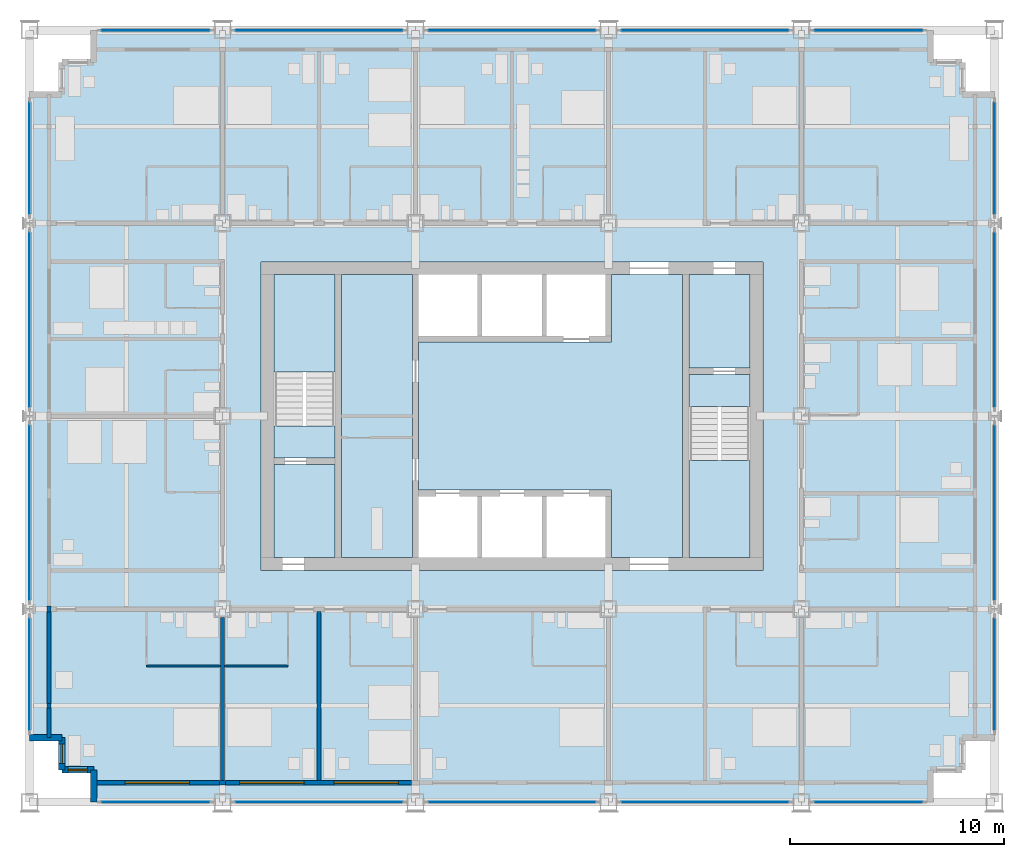
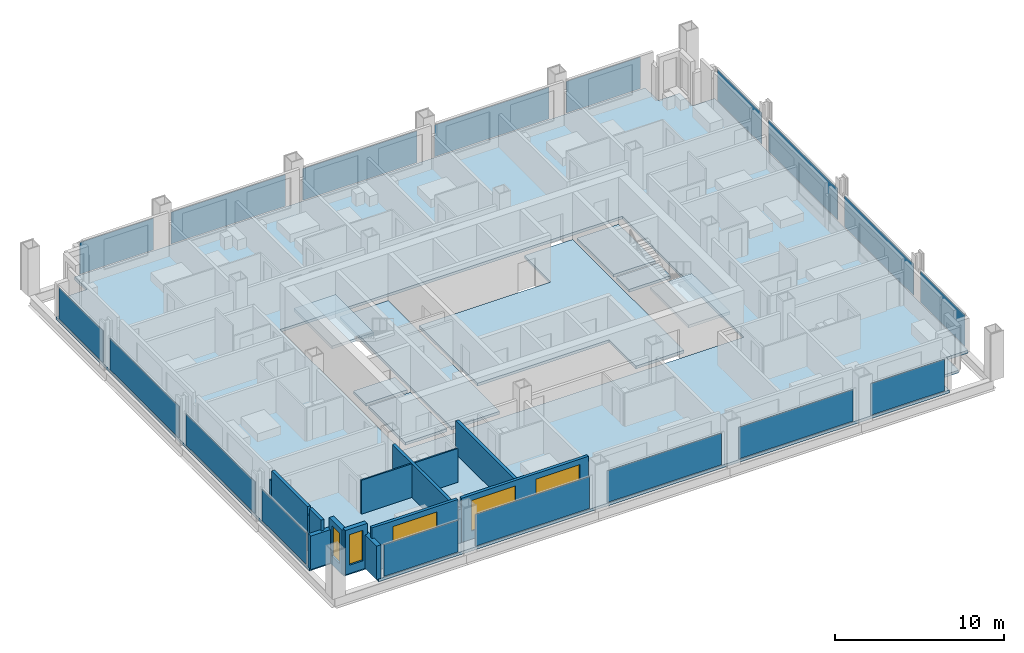
# One storey, part 8 of 17: 18 plates, 15 walls, 9 slabs, 5 windows, 5 openings, 20 elements without a shape of their own.
"""IFC4 building model written with IfcOpenShell, lengths in metres."""

from ifc_helpers import new_model, si_unit, direction, frame, frame_2d, origin, origin_2d, place, context, subcontext, project, spatial, polyline, rectangle, outline, extrude, material, layer, layer_set, type_object, element, fill, aggregate, save


model = new_model("IFC4")

# Units and contexts
model_context = context("Model", 3, precision=1e-05, world=origin(), true_north=direction((0.0, 1.0)))
body_context = subcontext(model_context, "Body", "Model", "MODEL_VIEW")
ifc_project = project(units=[si_unit("LENGTHUNIT", "METRE"), si_unit("AREAUNIT", "SQUARE_METRE"), si_unit("VOLUMEUNIT", "CUBIC_METRE"), si_unit("PLANEANGLEUNIT", "RADIAN"), si_unit("MASSUNIT", "GRAM", prefix="KILO")], contexts=[model_context])

# Site, building, storey
site_placement = place(None, origin())
site = spatial("IfcSite", under=ifc_project, at=site_placement, CompositionType="ELEMENT")
building_placement = place(site_placement, origin())
building = spatial("IfcBuilding", under=site, at=building_placement, Name="Loomwork Tower", CompositionType="ELEMENT")
storey_placement = place(building_placement, frame((0.0, 0.0, 138.39990234375)))
storey = spatial("IfcBuildingStorey", under=building, at=storey_placement, Name="L37", CompositionType="ELEMENT", Elevation=138.39990234375)

# Slabs
ifc_material_1 = material(Name="Concrete 5000 psi (34 MPa) on composite metal deck", Category="concrete")
ifc_layer_1 = layer(ifc_material_1, 0.199951171875)
ifc_layer_set_1 = layer_set([ifc_layer_1], Name="Floor slab 200")
slab_type_1 = type_object("IfcSlabType", Name="Floor slab 200", PredefinedType="FLOOR", material=ifc_layer_set_1)
slab_1_placement = place(storey_placement, frame((0.0, 0.0, -0.199951171875)))
element("IfcSlab", 1, at=slab_1_placement, inside=storey, type_object=slab_type_1, Name="Floor slab L37", PredefinedType="FLOOR", context=body_context, shape_type="SweptSolid", body=[
    extrude(outline(polyline([(3.0, 1.5), (1.5, 1.5), (1.5, 3.0), (0.0, 3.0), (0.0, 33.0), (1.5, 33.0), (1.5, 34.5), (3.0, 34.5), (3.0, 36.0), (42.0, 36.0), (42.0, 34.5), (43.5, 34.5), (43.5, 33.0), (45.0, 33.0), (45.0, 3.0), (43.5, 3.0), (43.5, 1.5), (42.0, 1.5), (42.0, 0.0), (3.0, 0.0), (3.0, 1.5)]), holes=[polyline([(10.800048828125, 11.39990234375), (10.800048828125, 11.39990234375), (10.800048828125, 10.800048828125), (34.199951171875, 10.800048828125), (34.199951171875, 11.39990234375), (34.199951171875, 11.39990234375), (34.199951171875, 24.60009765625), (34.199951171875, 25.199951171875), (10.800048828125, 25.199951171875), (10.800048828125, 24.60009765625), (10.800048828125, 11.39990234375)])]), origin(), (0.0, 0.0, 1.0), 0.199951171875),
])
slab_2_placement = place(storey_placement, frame((0.0, 0.0, -0.199951171875)))
element("IfcSlab", 2, at=slab_2_placement, inside=storey, type_object=slab_type_1, Name="Floor slab L37", PredefinedType="FLOOR", context=body_context, shape_type="SweptSolid", body=[
    extrude(outline(polyline([(30.449951171875, 24.60009765625), (30.449951171875, 11.39990234375), (27.14990234375, 11.39990234375), (27.14990234375, 14.25), (27.14990234375, 14.550048828125), (18.14990234375, 14.550048828125), (18.14990234375, 21.449951171875), (27.14990234375, 21.449951171875), (27.14990234375, 21.75), (27.14990234375, 24.60009765625), (30.449951171875, 24.60009765625)])), origin(), (0.0, 0.0, 1.0), 0.199951171875),
])
slab_3_placement = place(storey_placement, frame((0.0, 0.0, -0.199951171875)))
element("IfcSlab", 3, at=slab_3_placement, inside=storey, type_object=slab_type_1, Name="Floor slab L37", PredefinedType="FLOOR", context=body_context, shape_type="SweptSolid", body=[
    extrude(outline(polyline([(14.550048828125, 11.39990234375), (14.550048828125, 24.60009765625), (17.85009765625, 24.60009765625), (17.85009765625, 11.39990234375), (14.550048828125, 11.39990234375)])), origin(), (0.0, 0.0, 1.0), 0.199951171875),
])
slab_4_placement = place(storey_placement, frame((0.0, 0.0, -0.199951171875)))
element("IfcSlab", 4, at=slab_4_placement, inside=storey, type_object=slab_type_1, Name="Floor slab L37", PredefinedType="FLOOR", context=body_context, shape_type="SweptSolid", body=[
    extrude(outline(polyline([(33.60009765625, 20.25), (30.75, 20.25), (30.75, 24.60009765625), (33.60009765625, 24.60009765625), (33.60009765625, 20.25)])), origin(), (0.0, 0.0, 1.0), 0.199951171875),
])
slab_5_placement = place(storey_placement, frame((0.0, 0.0, -0.199951171875)))
element("IfcSlab", 5, at=slab_5_placement, inside=storey, type_object=slab_type_1, Name="Floor slab L37", PredefinedType="FLOOR", context=body_context, shape_type="SweptSolid", body=[
    extrude(outline(polyline([(14.25, 15.75), (14.25, 11.39990234375), (11.39990234375, 11.39990234375), (11.39990234375, 15.75), (14.25, 15.75)])), origin(), (0.0, 0.0, 1.0), 0.199951171875),
])

# Curtain wall, plate
ifc_material_2 = material(Name="Aluminium curtain wall frame", Category="aluminium")
curtain_wall_type = type_object("IfcCurtainWallType", Name="Outer skin glazing hotel", PredefinedType="NOTDEFINED", material=ifc_material_2)
curtain_wall_1_placement = place(storey_placement, origin())
curtain_wall_1 = element("IfcCurtainWall", 6, at=curtain_wall_1_placement, inside=storey, type_object=curtain_wall_type, Name="Outer skin glazing hotel cw/S-0", PredefinedType="NOTDEFINED")
ifc_material_3 = material(Name="Clear laminated glass", Category="glass")
ifc_layer_2 = layer(ifc_material_3, 0.02392578125)
ifc_layer_set_2 = layer_set([ifc_layer_2], Name="Outer skin glazing hotel panel")
plate_type = type_object("IfcPlateType", Name="Outer skin glazing hotel panel", PredefinedType="CURTAIN_PANEL", material=ifc_layer_set_2)
plate_1_placement = place(storey_placement, frame((5.875, 0.0, 0.06494140625), z_axis=(0.0, 0.0, 1.0), x_axis=(1.0, 0.0, 0.0)))
plate_1 = element("IfcPlate", 7, at=plate_1_placement, type_object=plate_type, Name="CW1 panel 1.1", PredefinedType="CURTAIN_PANEL", context=body_context, shape_type="SweptSolid", body=[
    extrude(rectangle(XDim=5.050048828125, YDim=0.02392578125, at=origin_2d()), origin(), (0.0, 0.0, 1.0), 2.290283203125),
])
aggregate(curtain_wall_1, [plate_1])

curtain_wall_2_placement = place(storey_placement, origin())
curtain_wall_2 = element("IfcCurtainWall", 8, at=curtain_wall_2_placement, inside=storey, type_object=curtain_wall_type, Name="Outer skin glazing hotel cw/S-9", PredefinedType="NOTDEFINED")
plate_2_placement = place(storey_placement, frame((13.5, 0.0, 0.06494140625), z_axis=(0.0, 0.0, 1.0), x_axis=(1.0, 0.0, 0.0)))
plate_2 = element("IfcPlate", 9, at=plate_2_placement, type_object=plate_type, Name="CW1 panel 1.1", PredefinedType="CURTAIN_PANEL", context=body_context, shape_type="SweptSolid", body=[
    extrude(rectangle(XDim=7.800048828125, YDim=0.02392578125, at=origin_2d()), origin(), (0.0, 0.0, 1.0), 2.290283203125),
])
aggregate(curtain_wall_2, [plate_2])

curtain_wall_3_placement = place(storey_placement, origin())
curtain_wall_3 = element("IfcCurtainWall", 10, at=curtain_wall_3_placement, inside=storey, type_object=curtain_wall_type, Name="Outer skin glazing hotel cw/S-18", PredefinedType="NOTDEFINED")
plate_3_placement = place(storey_placement, frame((22.5, 0.0, 0.06494140625), z_axis=(0.0, 0.0, 1.0), x_axis=(1.0, 0.0, 0.0)))
plate_3 = element("IfcPlate", 11, at=plate_3_placement, type_object=plate_type, Name="CW1 panel 1.1", PredefinedType="CURTAIN_PANEL", context=body_context, shape_type="SweptSolid", body=[
    extrude(rectangle(XDim=7.800048828125, YDim=0.02392578125, at=origin_2d()), origin(), (0.0, 0.0, 1.0), 2.290283203125),
])
aggregate(curtain_wall_3, [plate_3])

curtain_wall_4_placement = place(storey_placement, origin())
curtain_wall_4 = element("IfcCurtainWall", 12, at=curtain_wall_4_placement, inside=storey, type_object=curtain_wall_type, Name="Outer skin glazing hotel cw/S-27", PredefinedType="NOTDEFINED")
plate_4_placement = place(storey_placement, frame((31.5, 0.0, 0.06494140625), z_axis=(0.0, 0.0, 1.0), x_axis=(1.0, 0.0, 0.0)))
plate_4 = element("IfcPlate", 13, at=plate_4_placement, type_object=plate_type, Name="CW1 panel 1.1", PredefinedType="CURTAIN_PANEL", context=body_context, shape_type="SweptSolid", body=[
    extrude(rectangle(XDim=7.800048828125, YDim=0.02392578125, at=origin_2d()), origin(), (0.0, 0.0, 1.0), 2.290283203125),
])
aggregate(curtain_wall_4, [plate_4])

curtain_wall_5_placement = place(storey_placement, origin())
curtain_wall_5 = element("IfcCurtainWall", 14, at=curtain_wall_5_placement, inside=storey, type_object=curtain_wall_type, Name="Outer skin glazing hotel cw/S-36", PredefinedType="NOTDEFINED")
plate_5_placement = place(storey_placement, frame((39.125, 0.0, 0.06494140625), z_axis=(0.0, 0.0, 1.0), x_axis=(1.0, 0.0, 0.0)))
plate_5 = element("IfcPlate", 15, at=plate_5_placement, type_object=plate_type, Name="CW1 panel 1.1", PredefinedType="CURTAIN_PANEL", context=body_context, shape_type="SweptSolid", body=[
    extrude(rectangle(XDim=5.050048828125, YDim=0.02392578125, at=origin_2d()), origin(), (0.0, 0.0, 1.0), 2.290283203125),
])
aggregate(curtain_wall_5, [plate_5])

curtain_wall_6_placement = place(storey_placement, origin())
curtain_wall_6 = element("IfcCurtainWall", 16, at=curtain_wall_6_placement, inside=storey, type_object=curtain_wall_type, Name="Outer skin glazing hotel cw/N-0", PredefinedType="NOTDEFINED")
plate_6_placement = place(storey_placement, frame((5.875, 36.0, 0.06494140625), z_axis=(0.0, 0.0, 1.0), x_axis=(-1.0, 0.0, 0.0)))
plate_6 = element("IfcPlate", 17, at=plate_6_placement, type_object=plate_type, Name="CW1 panel 1.1", PredefinedType="CURTAIN_PANEL", context=body_context, shape_type="SweptSolid", body=[
    extrude(rectangle(XDim=5.050048828125, YDim=0.02392578125, at=origin_2d()), origin(), (0.0, 0.0, 1.0), 2.290283203125),
])
aggregate(curtain_wall_6, [plate_6])

curtain_wall_7_placement = place(storey_placement, origin())
curtain_wall_7 = element("IfcCurtainWall", 18, at=curtain_wall_7_placement, inside=storey, type_object=curtain_wall_type, Name="Outer skin glazing hotel cw/N-9", PredefinedType="NOTDEFINED")
plate_7_placement = place(storey_placement, frame((13.5, 36.0, 0.06494140625), z_axis=(0.0, 0.0, 1.0), x_axis=(-1.0, 0.0, 0.0)))
plate_7 = element("IfcPlate", 19, at=plate_7_placement, type_object=plate_type, Name="CW1 panel 1.1", PredefinedType="CURTAIN_PANEL", context=body_context, shape_type="SweptSolid", body=[
    extrude(rectangle(XDim=7.800048828125, YDim=0.02392578125, at=origin_2d()), origin(), (0.0, 0.0, 1.0), 2.290283203125),
])
aggregate(curtain_wall_7, [plate_7])

curtain_wall_8_placement = place(storey_placement, origin())
curtain_wall_8 = element("IfcCurtainWall", 20, at=curtain_wall_8_placement, inside=storey, type_object=curtain_wall_type, Name="Outer skin glazing hotel cw/N-18", PredefinedType="NOTDEFINED")
plate_8_placement = place(storey_placement, frame((22.5, 36.0, 0.06494140625), z_axis=(0.0, 0.0, 1.0), x_axis=(-1.0, 0.0, 0.0)))
plate_8 = element("IfcPlate", 21, at=plate_8_placement, type_object=plate_type, Name="CW1 panel 1.1", PredefinedType="CURTAIN_PANEL", context=body_context, shape_type="SweptSolid", body=[
    extrude(rectangle(XDim=7.800048828125, YDim=0.02392578125, at=origin_2d()), origin(), (0.0, 0.0, 1.0), 2.290283203125),
])
aggregate(curtain_wall_8, [plate_8])

curtain_wall_9_placement = place(storey_placement, origin())
curtain_wall_9 = element("IfcCurtainWall", 22, at=curtain_wall_9_placement, inside=storey, type_object=curtain_wall_type, Name="Outer skin glazing hotel cw/N-27", PredefinedType="NOTDEFINED")
plate_9_placement = place(storey_placement, frame((31.5, 36.0, 0.06494140625), z_axis=(0.0, 0.0, 1.0), x_axis=(-1.0, 0.0, 0.0)))
plate_9 = element("IfcPlate", 23, at=plate_9_placement, type_object=plate_type, Name="CW1 panel 1.1", PredefinedType="CURTAIN_PANEL", context=body_context, shape_type="SweptSolid", body=[
    extrude(rectangle(XDim=7.800048828125, YDim=0.02392578125, at=origin_2d()), origin(), (0.0, 0.0, 1.0), 2.290283203125),
])
aggregate(curtain_wall_9, [plate_9])

curtain_wall_10_placement = place(storey_placement, origin())
curtain_wall_10 = element("IfcCurtainWall", 24, at=curtain_wall_10_placement, inside=storey, type_object=curtain_wall_type, Name="Outer skin glazing hotel cw/N-36", PredefinedType="NOTDEFINED")
plate_10_placement = place(storey_placement, frame((39.125, 36.0, 0.06494140625), z_axis=(0.0, 0.0, 1.0), x_axis=(-1.0, 0.0, 0.0)))
plate_10 = element("IfcPlate", 25, at=plate_10_placement, type_object=plate_type, Name="CW1 panel 1.1", PredefinedType="CURTAIN_PANEL", context=body_context, shape_type="SweptSolid", body=[
    extrude(rectangle(XDim=5.050048828125, YDim=0.02392578125, at=origin_2d()), origin(), (0.0, 0.0, 1.0), 2.290283203125),
])
aggregate(curtain_wall_10, [plate_10])

curtain_wall_11_placement = place(storey_placement, origin())
curtain_wall_11 = element("IfcCurtainWall", 26, at=curtain_wall_11_placement, inside=storey, type_object=curtain_wall_type, Name="Outer skin glazing hotel cw/W-0", PredefinedType="NOTDEFINED")
plate_11_placement = place(storey_placement, frame((0.0, 5.964599609375, 0.06494140625), z_axis=(0.0, 0.0, 1.0), x_axis=(0.0, -1.0, 0.0)))
plate_11 = element("IfcPlate", 27, at=plate_11_placement, type_object=plate_type, Name="CW1 panel 1.1", PredefinedType="CURTAIN_PANEL", context=body_context, shape_type="SweptSolid", body=[
    extrude(rectangle(XDim=5.22900390625, YDim=0.02392578125, at=origin_2d()), origin(), (0.0, 0.0, 1.0), 2.290283203125),
])
aggregate(curtain_wall_11, [plate_11])

curtain_wall_12_placement = place(storey_placement, origin())
curtain_wall_12 = element("IfcCurtainWall", 28, at=curtain_wall_12_placement, inside=storey, type_object=curtain_wall_type, Name="Outer skin glazing hotel cw/W-9", PredefinedType="NOTDEFINED")
plate_12_placement = place(storey_placement, frame((0.0, 13.5, 0.06494140625), z_axis=(0.0, 0.0, 1.0), x_axis=(0.0, -1.0, 0.0)))
plate_12 = element("IfcPlate", 29, at=plate_12_placement, type_object=plate_type, Name="CW1 panel 1.1", PredefinedType="CURTAIN_PANEL", context=body_context, shape_type="SweptSolid", body=[
    extrude(rectangle(XDim=8.157958984375, YDim=0.02392578125, at=origin_2d()), origin(), (0.0, 0.0, 1.0), 2.290283203125),
])
aggregate(curtain_wall_12, [plate_12])

curtain_wall_13_placement = place(storey_placement, origin())
curtain_wall_13 = element("IfcCurtainWall", 30, at=curtain_wall_13_placement, inside=storey, type_object=curtain_wall_type, Name="Outer skin glazing hotel cw/W-18", PredefinedType="NOTDEFINED")
plate_13_placement = place(storey_placement, frame((0.0, 22.5, 0.06494140625), z_axis=(0.0, 0.0, 1.0), x_axis=(0.0, -1.0, 0.0)))
plate_13 = element("IfcPlate", 31, at=plate_13_placement, type_object=plate_type, Name="CW1 panel 1.1", PredefinedType="CURTAIN_PANEL", context=body_context, shape_type="SweptSolid", body=[
    extrude(rectangle(XDim=8.157958984375, YDim=0.02392578125, at=origin_2d()), origin(), (0.0, 0.0, 1.0), 2.290283203125),
])
aggregate(curtain_wall_13, [plate_13])

curtain_wall_14_placement = place(storey_placement, origin())
curtain_wall_14 = element("IfcCurtainWall", 32, at=curtain_wall_14_placement, inside=storey, type_object=curtain_wall_type, Name="Outer skin glazing hotel cw/W-27", PredefinedType="NOTDEFINED")
plate_14_placement = place(storey_placement, frame((0.0, 30.035400390625, 0.06494140625), z_axis=(0.0, 0.0, 1.0), x_axis=(0.0, -1.0, 0.0)))
plate_14 = element("IfcPlate", 33, at=plate_14_placement, type_object=plate_type, Name="CW1 panel 1.1", PredefinedType="CURTAIN_PANEL", context=body_context, shape_type="SweptSolid", body=[
    extrude(rectangle(XDim=5.22900390625, YDim=0.02392578125, at=origin_2d()), origin(), (0.0, 0.0, 1.0), 2.290283203125),
])
aggregate(curtain_wall_14, [plate_14])

curtain_wall_15_placement = place(storey_placement, origin())
curtain_wall_15 = element("IfcCurtainWall", 34, at=curtain_wall_15_placement, inside=storey, type_object=curtain_wall_type, Name="Outer skin glazing hotel cw/E-0", PredefinedType="NOTDEFINED")
plate_15_placement = place(storey_placement, frame((45.0, 5.964599609375, 0.06494140625), z_axis=(0.0, 0.0, 1.0), x_axis=(0.0, 1.0, 0.0)))
plate_15 = element("IfcPlate", 35, at=plate_15_placement, type_object=plate_type, Name="CW1 panel 1.1", PredefinedType="CURTAIN_PANEL", context=body_context, shape_type="SweptSolid", body=[
    extrude(rectangle(XDim=5.22900390625, YDim=0.02392578125, at=origin_2d()), origin(), (0.0, 0.0, 1.0), 2.290283203125),
])
aggregate(curtain_wall_15, [plate_15])

curtain_wall_16_placement = place(storey_placement, origin())
curtain_wall_16 = element("IfcCurtainWall", 36, at=curtain_wall_16_placement, inside=storey, type_object=curtain_wall_type, Name="Outer skin glazing hotel cw/E-9", PredefinedType="NOTDEFINED")
plate_16_placement = place(storey_placement, frame((45.0, 13.5, 0.06494140625), z_axis=(0.0, 0.0, 1.0), x_axis=(0.0, 1.0, 0.0)))
plate_16 = element("IfcPlate", 37, at=plate_16_placement, type_object=plate_type, Name="CW1 panel 1.1", PredefinedType="CURTAIN_PANEL", context=body_context, shape_type="SweptSolid", body=[
    extrude(rectangle(XDim=8.157958984375, YDim=0.02392578125, at=origin_2d()), origin(), (0.0, 0.0, 1.0), 2.290283203125),
])
aggregate(curtain_wall_16, [plate_16])

curtain_wall_17_placement = place(storey_placement, origin())
curtain_wall_17 = element("IfcCurtainWall", 38, at=curtain_wall_17_placement, inside=storey, type_object=curtain_wall_type, Name="Outer skin glazing hotel cw/E-18", PredefinedType="NOTDEFINED")
plate_17_placement = place(storey_placement, frame((45.0, 22.5, 0.06494140625), z_axis=(0.0, 0.0, 1.0), x_axis=(0.0, 1.0, 0.0)))
plate_17 = element("IfcPlate", 39, at=plate_17_placement, type_object=plate_type, Name="CW1 panel 1.1", PredefinedType="CURTAIN_PANEL", context=body_context, shape_type="SweptSolid", body=[
    extrude(rectangle(XDim=8.157958984375, YDim=0.02392578125, at=origin_2d()), origin(), (0.0, 0.0, 1.0), 2.290283203125),
])
aggregate(curtain_wall_17, [plate_17])

curtain_wall_18_placement = place(storey_placement, origin())
curtain_wall_18 = element("IfcCurtainWall", 40, at=curtain_wall_18_placement, inside=storey, type_object=curtain_wall_type, Name="Outer skin glazing hotel cw/E-27", PredefinedType="NOTDEFINED")
plate_18_placement = place(storey_placement, frame((45.0, 30.035400390625, 0.06494140625), z_axis=(0.0, 0.0, 1.0), x_axis=(0.0, 1.0, 0.0)))
plate_18 = element("IfcPlate", 41, at=plate_18_placement, type_object=plate_type, Name="CW1 panel 1.1", PredefinedType="CURTAIN_PANEL", context=body_context, shape_type="SweptSolid", body=[
    extrude(rectangle(XDim=5.22900390625, YDim=0.02392578125, at=origin_2d()), origin(), (0.0, 0.0, 1.0), 2.290283203125),
])
aggregate(curtain_wall_18, [plate_18])

# Stair, slabs
ifc_material_4 = material(Name="Concrete 5000 psi (34 MPa) precast stair", Category="concrete")
stair_type_1 = type_object("IfcStairType", Name="Stair ST-A 20 risers 2850 wide", PredefinedType="HALF_TURN_STAIR", material=ifc_material_4)
stair_1_placement = place(storey_placement, origin())
stair_1 = element("IfcStair", 42, at=stair_1_placement, inside=storey, type_object=stair_type_1, Name="Stair A L37", PredefinedType="HALF_TURN_STAIR")
ifc_material_5 = material(Name="Concrete 5000 psi (34 MPa)", Category="concrete")
ifc_layer_3 = layer(ifc_material_5, 0.199951171875)
ifc_layer_set_3 = layer_set([ifc_layer_3], Name="Stair landing 200")
slab_type_2 = type_object("IfcSlabType", Name="Stair landing 200", PredefinedType="LANDING", material=ifc_layer_set_3)
slab_6_placement = place(storey_placement, frame((0.0, 0.0, -0.199951171875)))
slab_6 = element("IfcSlab", 43, at=slab_6_placement, type_object=slab_type_2, Name="ST-A landing 1", PredefinedType="LANDING", context=body_context, shape_type="SweptSolid", body=[
    extrude(outline(polyline([(11.39990234375, 16.050048828125), (14.25, 16.050048828125), (14.25, 17.550048828125), (11.39990234375, 17.550048828125), (11.39990234375, 16.050048828125)])), origin(), (0.0, 0.0, 1.0), 0.199951171875),
])
slab_7_placement = place(storey_placement, frame((0.0, 0.0, 1.5)))
slab_7 = element("IfcSlab", 44, at=slab_7_placement, type_object=slab_type_2, Name="ST-A landing 2", PredefinedType="LANDING", context=body_context, shape_type="SweptSolid", body=[
    extrude(outline(polyline([(11.39990234375, 20.070068359375), (14.25, 20.070068359375), (14.25, 24.60009765625), (11.39990234375, 24.60009765625), (11.39990234375, 20.070068359375)])), origin(), (0.0, 0.0, 1.0), 0.2001953125),
])
aggregate(stair_1, [slab_6, slab_7])

ifc_material_6 = material(Name="Concrete 5000 psi (34 MPa) precast stair", Category="concrete")
stair_type_2 = type_object("IfcStairType", Name="Stair ST-B 20 risers 2850 wide", PredefinedType="HALF_TURN_STAIR", material=ifc_material_6)
stair_2_placement = place(storey_placement, origin())
stair_2 = element("IfcStair", 45, at=stair_2_placement, inside=storey, type_object=stair_type_2, Name="Stair B L37", PredefinedType="HALF_TURN_STAIR")
slab_8_placement = place(storey_placement, frame((0.0, 0.0, -0.199951171875)))
slab_8 = element("IfcSlab", 46, at=slab_8_placement, type_object=slab_type_2, Name="ST-B landing 1", PredefinedType="LANDING", context=body_context, shape_type="SweptSolid", body=[
    extrude(outline(polyline([(30.75, 18.449951171875), (33.60009765625, 18.449951171875), (33.60009765625, 19.949951171875), (30.75, 19.949951171875), (30.75, 18.449951171875)])), origin(), (0.0, 0.0, 1.0), 0.199951171875),
])
slab_9_placement = place(storey_placement, frame((0.0, 0.0, 1.5)))
slab_9 = element("IfcSlab", 47, at=slab_9_placement, type_object=slab_type_2, Name="ST-B landing 2", PredefinedType="LANDING", context=body_context, shape_type="SweptSolid", body=[
    extrude(outline(polyline([(30.75, 11.39990234375), (33.60009765625, 11.39990234375), (33.60009765625, 15.929931640625), (30.75, 15.929931640625), (30.75, 11.39990234375)])), origin(), (0.0, 0.0, 1.0), 0.2001953125),
])
aggregate(stair_2, [slab_8, slab_9])

# Walls
ifc_material_7 = material(Name="Cement board on steel studs", Category="steel")
ifc_layer_4 = layer(ifc_material_7, 0.10009765625)
ifc_layer_set_4 = layer_set([ifc_layer_4], Name="En-suite partition 100")
wall_type_1 = type_object("IfcWallType", Name="En-suite partition 100", PredefinedType="PARTITIONING", material=ifc_layer_set_4)
wall_1_placement = place(storey_placement, frame((5.449951171875, 6.35009765625, 0.0), z_axis=(0.0, 0.0, 1.0), x_axis=(1.0, 0.0, 0.0)))
element("IfcWall", 48, at=wall_1_placement, inside=storey, type_object=wall_type_1, Name="En-suite wall L37 room 1", PredefinedType="PARTITIONING", context=body_context, shape_type="SweptSolid", body=[
    extrude(rectangle(XDim=3.449951171875, YDim=0.10009765625, at=frame_2d((1.72509765625, 0.0))), origin(), (0.0, 0.0, 1.0), 2.43798828125),
])
wall_2_placement = place(storey_placement, frame((9.10009765625, 6.35009765625, 0.0), z_axis=(0.0, 0.0, 1.0), x_axis=(1.0, 0.0, 0.0)))
element("IfcWall", 49, at=wall_2_placement, inside=storey, type_object=wall_type_1, Name="En-suite wall L37 room 2", PredefinedType="PARTITIONING", context=body_context, shape_type="SweptSolid", body=[
    extrude(rectangle(XDim=2.949951171875, YDim=0.10009765625, at=frame_2d((1.47509765625, 0.0))), origin(), (0.0, 0.0, 1.0), 2.43798828125),
])
ifc_material_8 = material(Name="Gypsum board on steel studs, acoustic", Category="steel")
ifc_layer_5 = layer(ifc_material_8, 0.199951171875)
ifc_layer_set_5 = layer_set([ifc_layer_5], Name="Guest room party wall 200")
wall_type_2 = type_object("IfcWallType", Name="Guest room party wall 200", PredefinedType="PARTITIONING", material=ifc_layer_set_5)
wall_3_placement = place(storey_placement, frame((9.0, 8.60009765625, 0.0), z_axis=(0.0, 0.0, 1.0), x_axis=(0.0, -1.0, 0.0)))
element("IfcWall", 50, at=wall_3_placement, inside=storey, type_object=wall_type_2, Name="Guest room party wall S 9", PredefinedType="PARTITIONING", context=body_context, shape_type="SweptSolid", body=[
    extrude(rectangle(XDim=7.60009765625, YDim=0.199951171875, at=frame_2d((3.800048828125, 0.0))), origin(), (0.0, 0.0, 1.0), 2.43798828125),
])
wall_4_placement = place(storey_placement, frame((13.5, 8.89990234375, 0.0), z_axis=(0.0, 0.0, 1.0), x_axis=(0.0, -1.0, 0.0)))
element("IfcWall", 51, at=wall_4_placement, inside=storey, type_object=wall_type_2, Name="Guest room party wall S 13.5", PredefinedType="PARTITIONING", context=body_context, shape_type="SweptSolid", body=[
    extrude(rectangle(XDim=7.89990234375, YDim=0.199951171875, at=frame_2d((3.949951171875, 0.0))), origin(), (0.0, 0.0, 1.0), 2.404052734375),
])

# Wall, opening, window
ifc_material_9 = material(Name="Insulated steel stud wall with gypsum lining", Category="steel")
ifc_layer_6 = layer(ifc_material_9, 0.199951171875)
ifc_layer_set_6 = layer_set([ifc_layer_6], Name="Inner skin wall 200")
wall_type_3 = type_object("IfcWallType", Name="Inner skin wall 200", PredefinedType="SOLIDWALL", material=ifc_layer_set_6)
wall_5_placement = place(storey_placement, frame((3.0, 0.89990234375, 0.0), z_axis=(0.0, 0.0, 1.0), x_axis=(1.0, 0.0, 0.0)))
wall_5 = element("IfcWall", 52, at=wall_5_placement, inside=storey, type_object=wall_type_3, Name="Inner skin wall S", PredefinedType="SOLIDWALL", context=body_context, shape_type="SweptSolid", body=[
    extrude(rectangle(XDim=5.86474609375, YDim=0.199951171875, at=frame_2d((2.932373046875, 0.0))), origin(), (0.0, 0.0, 1.0), 3.2001953125),
])
opening_1_placement = place(wall_5_placement, frame((1.449951171875, 0.0, 0.60009765625)))
opening_1 = element("IfcOpeningElement", 53, at=opening_1_placement, cuts=wall_5, Name="Opening CH1", PredefinedType="OPENING", context=body_context, shape_type="SweptSolid", body=[
    extrude(rectangle(XDim=3.0, YDim=2.199951171875, at=frame_2d((1.5, 1.10009765625))), frame((0.0, 0.10986328125, 0.0), z_axis=(0.0, -1.0, 0.0), x_axis=(1.0, 0.0, 0.0)), (0.0, 0.0, 1.0), 0.219970703125),
])
ifc_material_10 = material(Name="Aluminium frame with clear insulated glass", Category="aluminium")
window_type_1 = type_object("IfcWindowType", Name="Chicago window 3000", PartitioningType="TRIPLE_PANEL_VERTICAL", PredefinedType="WINDOW", material=ifc_material_10)
window_1_placement = place(opening_1_placement, origin())
window_1 = element("IfcWindow", 54, at=window_1_placement, inside=storey, type_object=window_type_1, Name="Chicago window L37 bay 1", OverallHeight=2.199951171875, OverallWidth=3.0, PartitioningType="TRIPLE_PANEL_VERTICAL", PredefinedType="WINDOW", context=body_context, shape_type="SweptSolid", body=[
    extrude(rectangle(XDim=3.0, YDim=2.199951171875, at=frame_2d((1.5, 1.10009765625))), frame((0.0, 0.030029296875, 0.0), z_axis=(0.0, -1.0, 0.0), x_axis=(1.0, 0.0, 0.0)), (0.0, 0.0, 1.0), 0.06005859375),
])
fill(opening_1, window_1)

# Walls
wall_6_placement = place(storey_placement, frame((0.89990234375, 3.0, 0.0), z_axis=(0.0, 0.0, 1.0), x_axis=(0.0, 1.0, 0.0)))
element("IfcWall", 55, at=wall_6_placement, inside=storey, type_object=wall_type_3, Name="Inner skin wall W", PredefinedType="SOLIDWALL", context=body_context, shape_type="SweptSolid", body=[
    extrude(rectangle(XDim=1.392578125, YDim=0.199951171875, at=frame_2d((0.6962890625, 0.0))), origin(), (0.0, 0.0, 1.0), 3.2001953125),
])
wall_7_placement = place(storey_placement, frame((8.86474609375, 0.89990234375, 0.0), z_axis=(0.0, 0.0, 1.0), x_axis=(1.0, 0.0, 0.0)))
element("IfcWall", 56, at=wall_7_placement, inside=storey, type_object=wall_type_3, Name="Inner skin wall S bay 2", PredefinedType="SOLIDWALL", context=body_context, shape_type="SweptSolid", body=[
    extrude(rectangle(XDim=0.2705078125, YDim=0.199951171875, at=frame_2d((0.13525390625, 0.0))), origin(), (0.0, 0.0, 1.0), 2.43798828125),
])

# Wall, openings, windows
wall_8_placement = place(storey_placement, frame((9.13525390625, 0.89990234375, 0.0), z_axis=(0.0, 0.0, 1.0), x_axis=(1.0, 0.0, 0.0)))
wall_8 = element("IfcWall", 57, at=wall_8_placement, inside=storey, type_object=wall_type_3, Name="Inner skin wall S bay 3", PredefinedType="SOLIDWALL", context=body_context, shape_type="SweptSolid", body=[
    extrude(rectangle(XDim=8.6708984375, YDim=0.199951171875, at=frame_2d((4.33544921875, 0.0))), origin(), (0.0, 0.0, 1.0), 3.2001953125),
])
opening_2_placement = place(wall_8_placement, frame((0.664794921875, 0.0, 0.60009765625)))
opening_2 = element("IfcOpeningElement", 58, at=opening_2_placement, cuts=wall_8, Name="Opening CH1", PredefinedType="OPENING", context=body_context, shape_type="SweptSolid", body=[
    extrude(rectangle(XDim=3.0, YDim=2.199951171875, at=frame_2d((1.5, 1.10009765625))), frame((0.0, 0.10986328125, 0.0), z_axis=(0.0, -1.0, 0.0), x_axis=(1.0, 0.0, 0.0)), (0.0, 0.0, 1.0), 0.219970703125),
])
opening_3_placement = place(wall_8_placement, frame((5.064697265625, 0.0, 0.60009765625)))
opening_3 = element("IfcOpeningElement", 59, at=opening_3_placement, cuts=wall_8, Name="Opening CH1", PredefinedType="OPENING", context=body_context, shape_type="SweptSolid", body=[
    extrude(rectangle(XDim=3.0, YDim=2.199951171875, at=frame_2d((1.5, 1.10009765625))), frame((0.0, 0.10986328125, 0.0), z_axis=(0.0, -1.0, 0.0), x_axis=(1.0, 0.0, 0.0)), (0.0, 0.0, 1.0), 0.219970703125),
])
window_2_placement = place(opening_2_placement, origin())
window_2 = element("IfcWindow", 60, at=window_2_placement, inside=storey, type_object=window_type_1, Name="Chicago window L37 bay 2", OverallHeight=2.199951171875, OverallWidth=3.0, PartitioningType="TRIPLE_PANEL_VERTICAL", PredefinedType="WINDOW", context=body_context, shape_type="SweptSolid", body=[
    extrude(rectangle(XDim=3.0, YDim=2.199951171875, at=frame_2d((1.5, 1.10009765625))), frame((0.0, 0.030029296875, 0.0), z_axis=(0.0, -1.0, 0.0), x_axis=(1.0, 0.0, 0.0)), (0.0, 0.0, 1.0), 0.06005859375),
])
fill(opening_2, window_2)
window_3_placement = place(opening_3_placement, origin())
window_3 = element("IfcWindow", 61, at=window_3_placement, inside=storey, type_object=window_type_1, Name="Chicago window L37 bay 2", OverallHeight=2.199951171875, OverallWidth=3.0, PartitioningType="TRIPLE_PANEL_VERTICAL", PredefinedType="WINDOW", context=body_context, shape_type="SweptSolid", body=[
    extrude(rectangle(XDim=3.0, YDim=2.199951171875, at=frame_2d((1.5, 1.10009765625))), frame((0.0, 0.030029296875, 0.0), z_axis=(0.0, -1.0, 0.0), x_axis=(1.0, 0.0, 0.0)), (0.0, 0.0, 1.0), 0.06005859375),
])
fill(opening_3, window_3)

# Walls
wall_9_placement = place(storey_placement, frame((0.89990234375, 4.392578125, 0.0), z_axis=(0.0, 0.0, 1.0), x_axis=(0.0, 1.0, 0.0)))
element("IfcWall", 62, at=wall_9_placement, inside=storey, type_object=wall_type_3, Name="Inner skin wall W bay 2", PredefinedType="SOLIDWALL", context=body_context, shape_type="SweptSolid", body=[
    extrude(rectangle(XDim=0.21484375, YDim=0.199951171875, at=frame_2d((0.107421875, 0.0))), origin(), (0.0, 0.0, 1.0), 2.6611328125),
])
wall_10_placement = place(storey_placement, frame((0.89990234375, 4.607421875, 0.0), z_axis=(0.0, 0.0, 1.0), x_axis=(0.0, 1.0, 0.0)))
element("IfcWall", 63, at=wall_10_placement, inside=storey, type_object=wall_type_3, Name="Inner skin wall W bay 3", PredefinedType="SOLIDWALL", context=body_context, shape_type="SweptSolid", body=[
    extrude(rectangle(XDim=4.25732421875, YDim=0.199951171875, at=frame_2d((2.128662109375, 0.0))), origin(), (0.0, 0.0, 1.0), 3.2001953125),
])
wall_11_placement = place(storey_placement, frame((0.89990234375, 8.86474609375, 0.0), z_axis=(0.0, 0.0, 1.0), x_axis=(0.0, 1.0, 0.0)))
element("IfcWall", 64, at=wall_11_placement, inside=storey, type_object=wall_type_3, Name="Inner skin wall W bay 4", PredefinedType="SOLIDWALL", context=body_context, shape_type="SweptSolid", body=[
    extrude(rectangle(XDim=0.2705078125, YDim=0.199951171875, at=frame_2d((0.13525390625, 0.0))), origin(), (0.0, 0.0, 1.0), 2.43798828125),
])
ifc_material_11 = material(Name="Limestone on concrete masonry", Category="masonry")
ifc_layer_7 = layer(ifc_material_11, 0.300048828125)
ifc_layer_set_7 = layer_set([ifc_layer_7], Name="Limestone corner wall 300")
wall_type_4 = type_object("IfcWallType", Name="Limestone corner wall 300", PredefinedType="SOLIDWALL", material=ifc_layer_set_7)
wall_12_placement = place(storey_placement, frame((0.0, 3.0, 0.0), z_axis=(0.0, 0.0, 1.0), x_axis=(1.0, 0.0, 0.0)))
element("IfcWall", 65, at=wall_12_placement, inside=storey, type_object=wall_type_4, Name="Stone corner wall SW 1", PredefinedType="SOLIDWALL", context=body_context, shape_type="SweptSolid", body=[
    extrude(rectangle(XDim=1.5, YDim=0.300048828125, at=frame_2d((0.75, 0.0))), origin(), (0.0, 0.0, 1.0), 2.420166015625),
])

# Wall, opening, window
wall_13_placement = place(storey_placement, frame((1.5, 3.0, 0.0), z_axis=(0.0, 0.0, 1.0), x_axis=(0.0, -1.0, 0.0)))
wall_13 = element("IfcWall", 66, at=wall_13_placement, inside=storey, type_object=wall_type_4, Name="Stone corner wall SW 2", PredefinedType="SOLIDWALL", context=body_context, shape_type="SweptSolid", body=[
    extrude(rectangle(XDim=1.5, YDim=0.300048828125, at=frame_2d((0.75, 0.0))), origin(), (0.0, 0.0, 1.0), 3.2001953125),
])
opening_4_placement = place(wall_13_placement, frame((0.300048828125, 0.0, 0.60009765625)))
opening_4 = element("IfcOpeningElement", 67, at=opening_4_placement, cuts=wall_13, Name="Opening CH2", PredefinedType="OPENING", context=body_context, shape_type="SweptSolid", body=[
    extrude(rectangle(XDim=0.89990234375, YDim=2.199951171875, at=frame_2d((0.449951171875, 1.10009765625))), frame((0.0, 0.159912109375, 0.0), z_axis=(0.0, -1.0, 0.0), x_axis=(1.0, 0.0, 0.0)), (0.0, 0.0, 1.0), 0.320068359375),
])
ifc_material_12 = material(Name="Aluminium frame with clear insulated glass", Category="aluminium")
window_type_2 = type_object("IfcWindowType", Name="Corner window 900", PartitioningType="SINGLE_PANEL", PredefinedType="WINDOW", material=ifc_material_12)
window_4_placement = place(opening_4_placement, origin())
window_4 = element("IfcWindow", 68, at=window_4_placement, inside=storey, type_object=window_type_2, Name="Corner window SW", OverallHeight=2.199951171875, OverallWidth=0.89990234375, PartitioningType="SINGLE_PANEL", PredefinedType="WINDOW", context=body_context, shape_type="SweptSolid", body=[
    extrude(rectangle(XDim=0.89990234375, YDim=2.199951171875, at=frame_2d((0.449951171875, 1.10009765625))), frame((0.0, 0.030029296875, 0.0), z_axis=(0.0, -1.0, 0.0), x_axis=(1.0, 0.0, 0.0)), (0.0, 0.0, 1.0), 0.06005859375),
])
fill(opening_4, window_4)

wall_14_placement = place(storey_placement, frame((1.5, 1.5, 0.0), z_axis=(0.0, 0.0, 1.0), x_axis=(1.0, 0.0, 0.0)))
wall_14 = element("IfcWall", 69, at=wall_14_placement, inside=storey, type_object=wall_type_4, Name="Stone corner wall SW 3", PredefinedType="SOLIDWALL", context=body_context, shape_type="SweptSolid", body=[
    extrude(rectangle(XDim=1.5, YDim=0.300048828125, at=frame_2d((0.75, 0.0))), origin(), (0.0, 0.0, 1.0), 3.2001953125),
])
opening_5_placement = place(wall_14_placement, frame((0.300048828125, 0.0, 0.60009765625)))
opening_5 = element("IfcOpeningElement", 70, at=opening_5_placement, cuts=wall_14, Name="Opening CH2", PredefinedType="OPENING", context=body_context, shape_type="SweptSolid", body=[
    extrude(rectangle(XDim=0.89990234375, YDim=2.199951171875, at=frame_2d((0.449951171875, 1.10009765625))), frame((0.0, 0.159912109375, 0.0), z_axis=(0.0, -1.0, 0.0), x_axis=(1.0, 0.0, 0.0)), (0.0, 0.0, 1.0), 0.320068359375),
])
window_5_placement = place(opening_5_placement, origin())
window_5 = element("IfcWindow", 71, at=window_5_placement, inside=storey, type_object=window_type_2, Name="Corner window SW", OverallHeight=2.199951171875, OverallWidth=0.89990234375, PartitioningType="SINGLE_PANEL", PredefinedType="WINDOW", context=body_context, shape_type="SweptSolid", body=[
    extrude(rectangle(XDim=0.89990234375, YDim=2.199951171875, at=frame_2d((0.449951171875, 1.10009765625))), frame((0.0, 0.030029296875, 0.0), z_axis=(0.0, -1.0, 0.0), x_axis=(1.0, 0.0, 0.0)), (0.0, 0.0, 1.0), 0.06005859375),
])
fill(opening_5, window_5)

# Wall
wall_15_placement = place(storey_placement, frame((3.0, 1.5, 0.0), z_axis=(0.0, 0.0, 1.0), x_axis=(0.0, -1.0, 0.0)))
element("IfcWall", 72, at=wall_15_placement, inside=storey, type_object=wall_type_4, Name="Stone corner wall SW 4", PredefinedType="SOLIDWALL", context=body_context, shape_type="SweptSolid", body=[
    extrude(rectangle(XDim=1.5, YDim=0.300048828125, at=frame_2d((0.75, 0.0))), origin(), (0.0, 0.0, 1.0), 2.420166015625),
])

save(model, "model.ifc")
